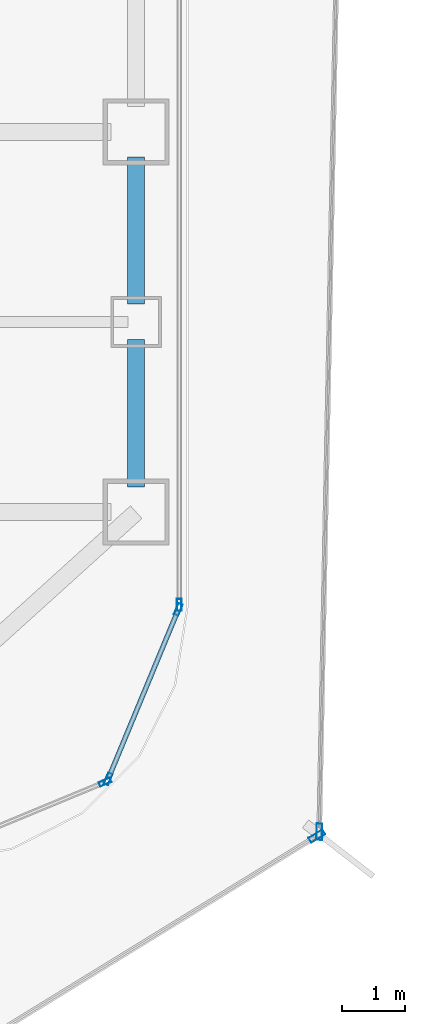
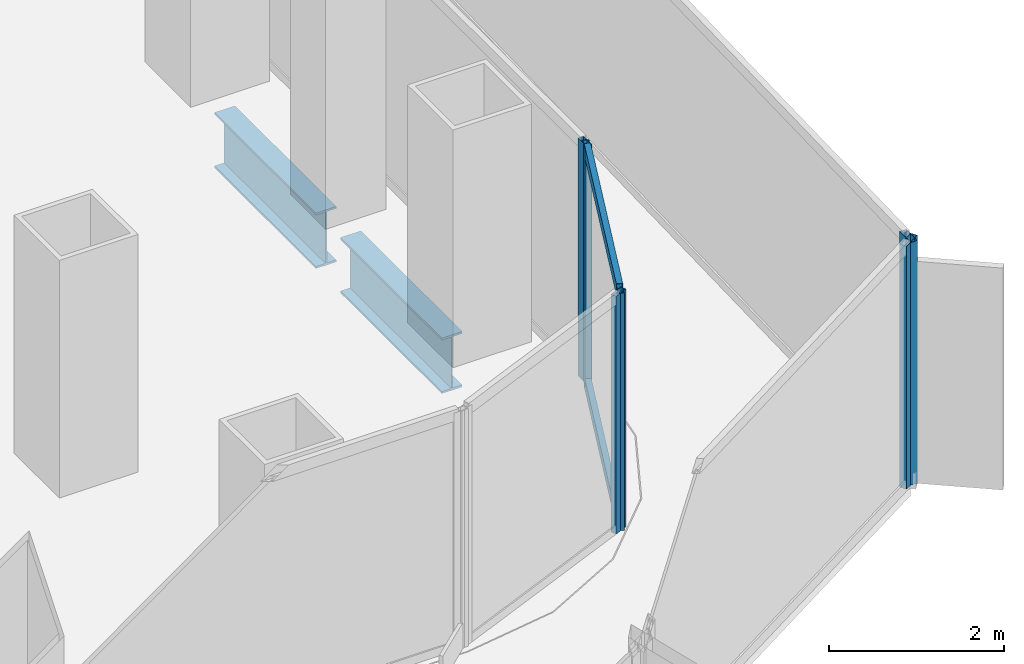
# One storey, part 8 of 21: 8 members, 2 beams, 5 elements without a shape of their own.
"""IFC4 building model written with IfcOpenShell, lengths in metres."""

from ifc_helpers import new_model, si_unit, direction, frame, origin, origin_2d, place, context, subcontext, project, spatial, hollow_rectangle, i_section, extrude, source, transform, mapped, material, layer, layer_set, material_profile, profile_set, type_object, element, aggregate, save


model = new_model("IFC4")

# Units and contexts
model_context = context("Model", 3, precision=1e-05, world=origin(), true_north=direction((0.0, 1.0)))
body_context = subcontext(model_context, "Body", "Model", "MODEL_VIEW")
ifc_project = project(units=[si_unit("LENGTHUNIT", "METRE"), si_unit("AREAUNIT", "SQUARE_METRE"), si_unit("VOLUMEUNIT", "CUBIC_METRE"), si_unit("PLANEANGLEUNIT", "RADIAN"), si_unit("MASSUNIT", "GRAM", prefix="KILO")], contexts=[model_context])

# Site, building, storey
site_placement = place(None, origin())
site = spatial("IfcSite", under=ifc_project, at=site_placement, CompositionType="ELEMENT")
building_placement = place(site_placement, origin())
building = spatial("IfcBuilding", under=site, at=building_placement, Name="Kolveth Station Tower", CompositionType="ELEMENT")
storey_placement = place(building_placement, frame((0.0, 0.0, 44.10009765625)))
storey = spatial("IfcBuildingStorey", under=building, at=storey_placement, Name="L11", CompositionType="ELEMENT", Elevation=44.10009765625)

# Beams
ifc_material_1 = material(Name="Steel S355", Category="steel")
ifc_material_profile_1 = material_profile(ifc_material_1, i_section(OverallWidth=0.26904296875, OverallDepth=0.77490234375, WebThickness=0.01708984375, FlangeThickness=0.0283203125, at=origin_2d()), Name="W760x220")
ifc_profile_set_1 = profile_set([ifc_material_profile_1], Name="Steel S355")
beam_type = type_object("IfcBeamType", Name="Beam_SP1", PredefinedType="SPANDREL", material=ifc_profile_set_1)
shared_shape_1 = source(origin(), body_context, "Body", "SweptSolid", [
    extrude(i_section(OverallWidth=0.26904296875, OverallDepth=0.77490234375, WebThickness=0.01708984375, FlangeThickness=0.0283203125, at=origin_2d()), origin(), (0.0, 0.0, 1.0), 2.320068359375),
])
for number, where, z_axis, x_axis, name in (
    (1, (46.199951171875, 5.89990234375, -0.66748046875), (0.0, 1.0, 0.0), (-1.0, 0.0, 0.0), "L11 Perimeter Spandrel BM-L11-PE-1"),
    (2, (46.199951171875, 8.780029296875, -0.66748046875), (0.0, 1.0, 0.0), (-1.0, 0.0, 0.0), "L11 Perimeter Spandrel BM-L11-PE-2"),
):
    element("IfcBeam", number, at=place(storey_placement, frame(where, z_axis=z_axis, x_axis=x_axis)), inside=storey, type_object=beam_type, Name=name, PredefinedType="SPANDREL", context=body_context, shape_type="MappedRepresentation", body=[
        mapped(shared_shape_1, transform((0.0, 0.0, 0.0), x_axis=(1.0, 0.0, 0.0), y_axis=(0.0, 1.0, 0.0), z_axis=(0.0, 0.0, 1.0), scale=1.0)),
    ])

# Curtain wall, members
ifc_material_2 = material(Name="Aluminium 6063-T6 and low-E dark glass", Category="aluminium")
ifc_layer_1 = layer(ifc_material_2, 0.179931640625)
ifc_layer_set_1 = layer_set([ifc_layer_1], Name="Aluminium 6063-T6 and low-E dark glass")
curtain_wall_type_1 = type_object("IfcCurtainWallType", Name="CurtainWall_CW-Z1", PredefinedType="NOTDEFINED", material=ifc_layer_set_1)
curtain_wall_1_placement = place(storey_placement, origin())
curtain_wall_1 = element("IfcCurtainWall", 3, at=curtain_wall_1_placement, inside=storey, type_object=curtain_wall_type_1, Name="L11 Inner Thermal Curtain Wall 2", PredefinedType="NOTDEFINED")
ifc_material_3 = material(Name="Black anodized aluminium 6063-T6", Category="aluminium")
ifc_material_profile_2 = material_profile(ifc_material_3, hollow_rectangle(XDim=0.074951171875, YDim=0.159912109375, WallThickness=0.0048828125, at=origin_2d()), Name="ALU-75x160x5")
ifc_profile_set_2 = profile_set([ifc_material_profile_2], Name="Black anodized aluminium 6063-T6")
member_type_1 = type_object("IfcMemberType", Name="Transom_TR1", PredefinedType="USERDEFINED", material=ifc_profile_set_2)
shared_shape_2 = source(origin(), body_context, "Body", "SweptSolid", [
    extrude(hollow_rectangle(XDim=0.074951171875, YDim=0.159912109375, WallThickness=0.0048828125, at=origin_2d()), origin(), (0.0, 0.0, 1.0), 2.819580078125),
])
member_1_placement = place(storey_placement, frame((45.772216796875, 1.32568359375, 0.037353515625), z_axis=(0.382708655389, 0.923869084389, 0.0), x_axis=(-0.923869084389, 0.382708655389, 0.0)))
member_1 = element("IfcMember", 4, at=member_1_placement, type_object=member_type_1, Name="CW-Z1 transom 1.1", ObjectType="TRANSOM", PredefinedType="USERDEFINED", context=body_context, shape_type="MappedRepresentation", body=[
    mapped(shared_shape_2, transform((0.0, 0.0, 0.0), x_axis=(1.0, 0.0, 0.0), y_axis=(0.0, 1.0, 0.0), z_axis=(0.0, 0.0, 1.0), scale=1.0)),
])
member_2_placement = place(storey_placement, frame((45.772216796875, 1.32568359375, 3.282470703125), z_axis=(0.382708655389, 0.923869084389, 0.0), x_axis=(-0.923869084389, 0.382708655389, 0.0)))
member_2 = element("IfcMember", 5, at=member_2_placement, type_object=member_type_1, Name="CW-Z1 transom 1.2", ObjectType="TRANSOM", PredefinedType="USERDEFINED", context=body_context, shape_type="MappedRepresentation", body=[
    mapped(shared_shape_2, transform((0.0, 0.0, 0.0), x_axis=(1.0, 0.0, 0.0), y_axis=(0.0, 1.0, 0.0), z_axis=(0.0, 0.0, 1.0), scale=1.0)),
])

# Curtain wall, member
ifc_material_4 = material(Name="Black anodized aluminium 6063-T6 and dark solar glass", Category="aluminium")
ifc_layer_2 = layer(ifc_material_4, 0.159912109375)
ifc_layer_set_2 = layer_set([ifc_layer_2], Name="Black anodized aluminium 6063-T6 and dark solar glass")
curtain_wall_type_2 = type_object("IfcCurtainWallType", Name="OUTER SKIN CW-OS", PredefinedType="NOTDEFINED", material=ifc_layer_set_2)
curtain_wall_2_placement = place(storey_placement, origin())
curtain_wall_2 = element("IfcCurtainWall", 6, at=curtain_wall_2_placement, inside=storey, type_object=curtain_wall_type_2, Name="L11 Outer Ventilated Skin Curtain Wall 1", PredefinedType="NOTDEFINED")
ifc_material_profile_3 = material_profile(ifc_material_3, hollow_rectangle(XDim=0.090087890625, YDim=0.260009765625, WallThickness=0.0048828125, at=origin_2d()), Name="ALU-90x260x5")
ifc_profile_set_3 = profile_set([ifc_material_profile_3], Name="Black anodized aluminium 6063-T6")
member_type_2 = type_object("IfcMemberType", Name="FIN MULLION ML-OS", PredefinedType="MULLION", material=ifc_profile_set_3)
shared_shape_3 = source(origin(), body_context, "Body", "SweptSolid", [
    extrude(hollow_rectangle(XDim=0.090087890625, YDim=0.260009765625, WallThickness=0.0048828125, at=origin_2d()), origin(), (0.0, 0.0, 1.0), 3.389892578125),
])
member_3_placement = place(storey_placement, frame((49.050537109375, 0.390625, 0.0), z_axis=(0.0, 0.0, 1.0), x_axis=(-0.523735566798, 0.851880893124, 0.0)))
member_3 = element("IfcMember", 7, at=member_3_placement, type_object=member_type_2, Name="CW-OS mullion 2", PredefinedType="MULLION", context=body_context, shape_type="MappedRepresentation", body=[
    mapped(shared_shape_3, transform((0.0, 0.0, 0.0), x_axis=(1.0, 0.0, 0.0), y_axis=(0.0, 1.0, 0.0), z_axis=(0.0, 0.0, 1.0), scale=1.0)),
])
aggregate(curtain_wall_2, [member_3])

curtain_wall_3_placement = place(storey_placement, origin())
curtain_wall_3 = element("IfcCurtainWall", 8, at=curtain_wall_3_placement, inside=storey, type_object=curtain_wall_type_2, Name="L11 Outer Ventilated Skin Curtain Wall 2", PredefinedType="NOTDEFINED")
member_4_placement = place(storey_placement, frame((49.089599609375, 0.459228515625, 0.0), z_axis=(0.0, 0.0, 1.0), x_axis=(-0.999800435029, 0.019977239968, 0.0)))
member_4 = element("IfcMember", 9, at=member_4_placement, type_object=member_type_2, Name="CW-OS mullion 1", PredefinedType="MULLION", context=body_context, shape_type="MappedRepresentation", body=[
    mapped(shared_shape_3, transform((0.0, 0.0, 0.0), x_axis=(1.0, 0.0, 0.0), y_axis=(0.0, 1.0, 0.0), z_axis=(0.0, 0.0, 1.0), scale=1.0)),
])
aggregate(curtain_wall_3, [member_4])

curtain_wall_4_placement = place(storey_placement, origin())
curtain_wall_4 = element("IfcCurtainWall", 10, at=curtain_wall_4_placement, inside=storey, type_object=curtain_wall_type_1, Name="L11 Inner Thermal Curtain Wall 1", PredefinedType="NOTDEFINED")
ifc_material_profile_4 = material_profile(ifc_material_3, hollow_rectangle(XDim=0.074951171875, YDim=0.18994140625, WallThickness=0.0048828125, at=origin_2d()), Name="ALU-75x190x5")
ifc_profile_set_4 = profile_set([ifc_material_profile_4], Name="Black anodized aluminium 6063-T6")
member_type_3 = type_object("IfcMemberType", Name="Mullion_ML1", PredefinedType="MULLION", material=ifc_profile_set_4)
shared_shape_4 = source(origin(), body_context, "Body", "SweptSolid", [
    extrude(hollow_rectangle(XDim=0.074951171875, YDim=0.18994140625, WallThickness=0.0048828125, at=origin_2d()), origin(), (0.0, 0.0, 1.0), 3.31982421875),
])
member_5_placement = place(storey_placement, frame((45.708984375, 1.241943359375, 0.0), z_axis=(0.0, 0.0, 1.0), x_axis=(-0.382672990201, 0.923883857728, 0.0)))
member_5 = element("IfcMember", 11, at=member_5_placement, type_object=member_type_3, Name="CW-Z1 mullion 2", PredefinedType="MULLION", context=body_context, shape_type="MappedRepresentation", body=[
    mapped(shared_shape_4, transform((0.0, 0.0, 0.0), x_axis=(1.0, 0.0, 0.0), y_axis=(0.0, 1.0, 0.0), z_axis=(0.0, 0.0, 1.0), scale=1.0)),
])
aggregate(curtain_wall_4, [member_5])

# Member
member_6_placement = place(storey_placement, frame((45.758056640625, 1.291015625, 0.0), z_axis=(0.0, 0.0, 1.0), x_axis=(-0.923883857728, 0.382672990201, 0.0)))
member_6 = element("IfcMember", 12, at=member_6_placement, type_object=member_type_3, Name="CW-Z1 mullion 1", PredefinedType="MULLION", context=body_context, shape_type="MappedRepresentation", body=[
    mapped(shared_shape_4, transform((0.0, 0.0, 0.0), x_axis=(1.0, 0.0, 0.0), y_axis=(0.0, 1.0, 0.0), z_axis=(0.0, 0.0, 1.0), scale=1.0)),
])

member_7_placement = place(storey_placement, frame((46.86572265625, 3.96533203125, 0.0), z_axis=(0.0, 0.0, 1.0), x_axis=(-0.923883857728, 0.382672990201, 0.0)))
member_7 = element("IfcMember", 13, at=member_7_placement, type_object=member_type_3, Name="CW-Z1 mullion 2", PredefinedType="MULLION", context=body_context, shape_type="MappedRepresentation", body=[
    mapped(shared_shape_4, transform((0.0, 0.0, 0.0), x_axis=(1.0, 0.0, 0.0), y_axis=(0.0, 1.0, 0.0), z_axis=(0.0, 0.0, 1.0), scale=1.0)),
])

aggregate(curtain_wall_1, [member_6, member_7, member_1, member_2])

# Curtain wall, member
curtain_wall_5_placement = place(storey_placement, origin())
curtain_wall_5 = element("IfcCurtainWall", 14, at=curtain_wall_5_placement, inside=storey, type_object=curtain_wall_type_1, Name="L11 Inner Thermal Curtain Wall 3", PredefinedType="NOTDEFINED")
member_8_placement = place(storey_placement, frame((46.8798828125, 4.03759765625, 0.0), z_axis=(0.0, 0.0, 1.0), x_axis=(-1.0, 0.0, 0.0)))
member_8 = element("IfcMember", 15, at=member_8_placement, type_object=member_type_3, Name="CW-Z1 mullion 1", PredefinedType="MULLION", context=body_context, shape_type="MappedRepresentation", body=[
    mapped(shared_shape_4, transform((0.0, 0.0, 0.0), x_axis=(1.0, 0.0, 0.0), y_axis=(0.0, 1.0, 0.0), z_axis=(0.0, 0.0, 1.0), scale=1.0)),
])
aggregate(curtain_wall_5, [member_8])

save(model, "model.ifc")
